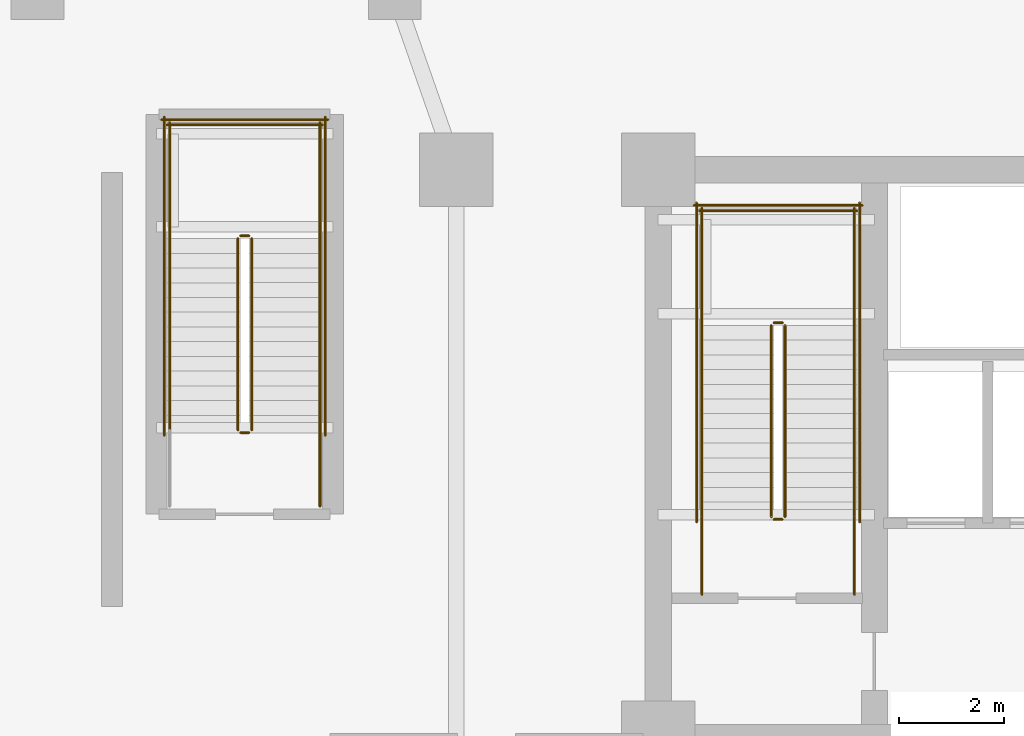
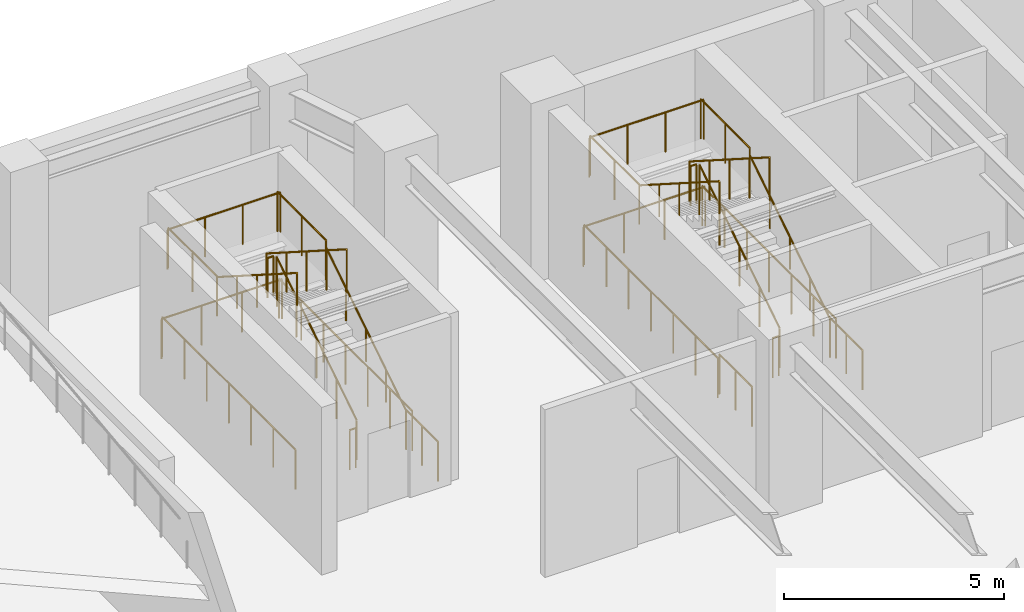
# One storey, part 6 of 8: 27 railings.
"""IFC4 building model written with IfcOpenShell, lengths in metres."""

import ifcopenshell
import ifcopenshell.guid

model = None  # the IFC model being written
_history = None  # IfcOwnerHistory: only IFC2X3 demands one
_inside = {}  # id of a spatial element -> (the spatial element, [elements in it])
_under = {}  # id of a project, library or spatial element -> (it, [spatial elements below it])
_declared = {}  # id of a project -> (the project, [libraries it declares])
_typed = {}  # id of a type object -> (the type object, [elements of that type])
_made_of = {}  # id of a material, layer set ... -> (it, [elements and type objects made of it])


def new_model(schema):
    """Start an empty IFC model of exactly this schema.

    Asked for "IFC4X3", IfcOpenShell would pick the latest addendum, in which some entities
    have other attributes; the version numbers below select the first issue.
    IFC2X3 requires an IfcOwnerHistory on every rooted entity: one is made here for all.
    """
    global model, _history
    if schema == "IFC4X3":
        model = ifcopenshell.file(schema_version=(4, 3, 0, 0))
    else:
        model = ifcopenshell.file(schema=schema)
    _inside.clear()
    _under.clear()
    _declared.clear()
    _typed.clear()
    _made_of.clear()
    _history = None
    if model.schema == "IFC2X3":
        org = make("IfcOrganization", Name="unknown")
        user = make(
            "IfcPersonAndOrganization",
            ThePerson=make("IfcPerson", FamilyName="unknown"),
            TheOrganization=org,
        )
        app = make(
            "IfcApplication",
            ApplicationDeveloper=org,
            Version="unknown",
            ApplicationFullName="unknown",
            ApplicationIdentifier="unknown",
        )
        _history = make(
            "IfcOwnerHistory",
            OwningUser=user,
            OwningApplication=app,
            ChangeAction="ADDED",
            CreationDate=0,
        )
    return model


def make(cls, **values):
    """One entity of the class cls with the attributes given. An attribute that is None is left unset."""
    return model.create_entity(
        cls, **{name: value for name, value in values.items() if value is not None}
    )


def rooted(cls, **values):
    """An entity with a GlobalId (a new one), such as an element, a storey or a relation."""
    return make(cls, GlobalId=ifcopenshell.guid.new(), OwnerHistory=_history, **values)


def si_unit(unit_type, name, prefix=None):
    """IfcSIUnit, for example si_unit("LENGTHUNIT", "METRE", prefix="MILLI")."""
    return make("IfcSIUnit", UnitType=unit_type, Prefix=prefix, Name=name)


def assignment(units):
    """IfcUnitAssignment: the units of a project."""
    return None if units is None else make("IfcUnitAssignment", Units=units)


def point(xyz):
    """IfcCartesianPoint."""
    return None if xyz is None else make("IfcCartesianPoint", Coordinates=xyz)


def direction(xyz):
    """IfcDirection."""
    return None if xyz is None else make("IfcDirection", DirectionRatios=xyz)


def frame(location, z_axis=None, x_axis=None):
    """IfcAxis2Placement3D, a coordinate frame: its origin and axes. An axis left out is left unset."""
    return make(
        "IfcAxis2Placement3D",
        Location=point(location),
        Axis=direction(z_axis),
        RefDirection=direction(x_axis),
    )


def frame_2d(location, x_axis=None):
    """IfcAxis2Placement2D, a coordinate frame in the plane: its origin and x axis."""
    return make(
        "IfcAxis2Placement2D", Location=point(location), RefDirection=direction(x_axis)
    )


def origin():
    """The frame at (0, 0, 0) with its axes left unset."""
    return frame((0.0, 0.0, 0.0))


def origin_2d():
    """The frame at (0, 0) in the plane with its x axis left unset."""
    return frame_2d((0.0, 0.0))


def place(relative_to, where):
    """IfcLocalPlacement: puts the frame where relative to a parent placement (None: the world)."""
    return make(
        "IfcLocalPlacement", PlacementRelTo=relative_to, RelativePlacement=where
    )


def context(
    kind, dimensions, precision=None, world=None, true_north=None, identifier=None
):
    """IfcGeometricRepresentationContext, for example the 3D "Model" context."""
    return make(
        "IfcGeometricRepresentationContext",
        ContextIdentifier=identifier,
        ContextType=kind,
        CoordinateSpaceDimension=dimensions,
        Precision=precision,
        WorldCoordinateSystem=world,
        TrueNorth=true_north,
    )


def subcontext(parent, identifier, kind, view, scale=None):
    """IfcGeometricRepresentationSubContext, for example "Body" below "Model"."""
    return make(
        "IfcGeometricRepresentationSubContext",
        ContextIdentifier=identifier,
        ContextType=kind,
        ParentContext=parent,
        TargetScale=scale,
        TargetView=view,
    )


def project(units=None, contexts=None):
    """IfcProject with its units and contexts."""
    return rooted(
        "IfcProject",
        Name="project",
        RepresentationContexts=contexts,
        UnitsInContext=assignment(units),
    )


def spatial(cls, under=None, at=None, **own):
    """A site, building, storey or space (cls), placed at a placement, below another one or the project."""
    s = rooted(cls, ObjectPlacement=at, **own)
    if under is not None:
        _under.setdefault(under.id(), (under, []))[1].append(s)
    return s


def profile(cls, at=None, kind="AREA", **sizes):
    """A parametric profile (cls). Its sizes go by their IFC names, for example OverallWidth=200.0."""
    return make(cls, ProfileType=kind, Position=at, **sizes)


def circle(**sizes):
    """IfcCircleProfileDef."""
    return profile("IfcCircleProfileDef", **sizes)


def extrude(swept, where, along, depth):
    """IfcExtrudedAreaSolid: the profile swept, set in the frame where, extruded along a direction by depth."""
    return make(
        "IfcExtrudedAreaSolid",
        SweptArea=swept,
        Position=where,
        ExtrudedDirection=direction(along),
        Depth=depth,
    )


def shape(context_of_items, identifier, shape_type, items):
    """IfcShapeRepresentation: the items that make up one representation, for example the "Body"."""
    return make(
        "IfcShapeRepresentation",
        ContextOfItems=context_of_items,
        RepresentationIdentifier=identifier,
        RepresentationType=shape_type,
        Items=items,
    )


def material(Name=None, Category=None):
    """IfcMaterial."""
    return make("IfcMaterial", Name=Name, Category=Category)


def layer(
    of_material, thickness, ventilated=None, Name=None, Category=None, Priority=None
):
    """IfcMaterialLayer: one layer of a wall or slab, of a material (None: an air gap)."""
    return make(
        "IfcMaterialLayer",
        Material=of_material,
        LayerThickness=thickness,
        IsVentilated=ventilated,
        Name=Name,
        Category=Category,
        Priority=Priority,
    )


def layer_set(layers, Name=None):
    """IfcMaterialLayerSet."""
    return make("IfcMaterialLayerSet", MaterialLayers=layers, LayerSetName=Name)


def made_of(thing, what):
    """Note that an element or type object is made of a material, layer set ...; save() writes the relation."""
    if what is not None:
        _made_of.setdefault(what.id(), (what, []))[1].append(thing)
    return thing


def type_object(cls, material=None, **own):
    """A type object (cls), such as IfcWallType, which elements share."""
    return made_of(rooted(cls, **own), material)


def element(
    cls,
    number,
    at=None,
    inside=None,
    cuts=None,
    type_object=None,
    material=None,
    context=None,
    identifier="Body",
    shape_type=None,
    held_by="IfcProductDefinitionShape",
    body=None,
    shapes=None,
    **own,
):
    """One element of the class cls, such as IfcWall. Its Tag is "e" and its number.

    at: its placement. inside: the storey or other place that contains it. cuts: it is an
    opening in that element (IfcRelVoidsElement). A single representation is given by context,
    identifier, shape_type and body (its items); several are given by shapes. held_by: the class
    of the entity that holds the representations. save() writes the other relations.
    """
    e = rooted(cls, Tag="e%d" % number, ObjectPlacement=at, **own)
    if body is not None:
        shapes = [shape(context, identifier, shape_type, body)]
    if shapes is not None:
        e.Representation = make(held_by, Representations=shapes)
    if inside is not None:
        _inside.setdefault(inside.id(), (inside, []))[1].append(e)
    if cuts is not None:
        rooted(
            "IfcRelVoidsElement", RelatingBuildingElement=cuts, RelatedOpeningElement=e
        )
    if type_object is not None:
        _typed.setdefault(type_object.id(), (type_object, []))[1].append(e)
    return made_of(e, material)


def aggregate(whole, parts):
    """IfcRelAggregates: a whole, such as a stair, and the parts it consists of."""
    return rooted("IfcRelAggregates", RelatingObject=whole, RelatedObjects=parts)


def save(model, path):
    """Write the relations noted so far, then the file.

    IfcRelAggregates (storeys below a building ...), IfcRelContainedInSpatialStructure (elements
    in a storey), IfcRelDefinesByType, IfcRelAssociatesMaterial and IfcRelDeclares: one each for
    every whole, place, type object, material and project.
    """
    for whole, parts in _under.values():
        aggregate(whole, parts)
    for where, things in _inside.values():
        rooted(
            "IfcRelContainedInSpatialStructure",
            RelatedElements=things,
            RelatingStructure=where,
        )
    for kind, things in _typed.values():
        rooted("IfcRelDefinesByType", RelatedObjects=things, RelatingType=kind)
    for what, things in _made_of.values():
        rooted("IfcRelAssociatesMaterial", RelatedObjects=things, RelatingMaterial=what)
    for by, libraries in _declared.values():
        rooted("IfcRelDeclares", RelatingContext=by, RelatedDefinitions=libraries)
    model.write(path)


model = new_model("IFC4")

# Units and contexts
model_context = context("Model", 3, precision=1e-05, world=origin(), true_north=direction((0.0, 1.0)))
body_context = subcontext(model_context, "Body", "Model", "MODEL_VIEW")
ifc_project = project(units=[si_unit("LENGTHUNIT", "METRE"), si_unit("AREAUNIT", "SQUARE_METRE"), si_unit("VOLUMEUNIT", "CUBIC_METRE"), si_unit("PLANEANGLEUNIT", "RADIAN"), si_unit("MASSUNIT", "GRAM", prefix="KILO")], contexts=[model_context])

# Site, building, storey
site_placement = place(None, origin())
site = spatial("IfcSite", under=ifc_project, at=site_placement, CompositionType="ELEMENT")
building_placement = place(site_placement, origin())
building = spatial("IfcBuilding", under=site, at=building_placement, Name="Yelkora Congress Tower", CompositionType="ELEMENT")
storey_placement = place(building_placement, frame((0.0, 0.0, -5.0)))
storey = spatial("IfcBuildingStorey", under=building, at=storey_placement, Name="B01", CompositionType="ELEMENT", Elevation=-5.0)

# Railings
ifc_material_1 = material(Name="Painted galvanised steel stair well guard with vertical infill", Category="steel")
ifc_layer_1 = layer(ifc_material_1, 0.06005859375)
ifc_layer_set_1 = layer_set([ifc_layer_1], Name="Painted galvanised steel stair well guard with vertical infill")
railing_type_1 = type_object("IfcRailingType", Name="RAIL-STAIR-GUARD-1120", PredefinedType="GUARDRAIL", material=ifc_layer_set_1)
railing_1_placement = place(storey_placement, frame((25.449951171875, 39.60009765625, 0.178466796875)))
element("IfcRailing", 1, at=railing_1_placement, inside=storey, type_object=railing_type_1, Name="ST-01 B01 Stair Well Guardrail 1", PredefinedType="GUARDRAIL", context=body_context, shape_type="SweptSolid", body=[
    extrude(circle(Radius=0.02392578125, at=origin_2d()), frame((0.0, 0.0, 1.09619140625), z_axis=(0.0, 0.843111507901, 0.53773877045), x_axis=(-1.0, 0.0, 0.0)), (0.0, 0.0, 1.0), 4.317138671875),
    extrude(circle(Radius=0.02099609375, at=origin_2d()), origin(), (0.0, 0.0, 1.0), 1.072021484375),
    extrude(circle(Radius=0.02099609375, at=origin_2d()), frame((0.0, 0.909912109375, 0.580322265625)), (0.0, 0.0, 1.0), 1.072021484375),
    extrude(circle(Radius=0.02099609375, at=origin_2d()), frame((0.0, 1.81982421875, 1.16064453125)), (0.0, 0.0, 1.0), 1.072021484375),
    extrude(circle(Radius=0.02099609375, at=origin_2d()), frame((0.0, 2.72998046875, 1.7412109375)), (0.0, 0.0, 1.0), 1.072021484375),
    extrude(circle(Radius=0.02099609375, at=origin_2d()), frame((0.0, 3.639892578125, 2.321533203125)), (0.0, 0.0, 1.0), 1.072021484375),
])
railing_2_placement = place(storey_placement, frame((25.39990234375, 43.2900390625, 2.5)))
element("IfcRailing", 2, at=railing_2_placement, inside=storey, type_object=railing_type_1, Name="ST-01 B01 Stair Well Guardrail 2", PredefinedType="GUARDRAIL", context=body_context, shape_type="SweptSolid", body=[
    extrude(circle(Radius=0.02392578125, at=origin_2d()), frame((0.0, 0.0, 1.09619140625), z_axis=(-1.0, 0.0, 0.0), x_axis=(0.0, -1.0, 0.0)), (0.0, 0.0, 1.0), 0.159912109375),
    extrude(circle(Radius=0.02099609375, at=origin_2d()), origin(), (0.0, 0.0, 1.0), 1.072021484375),
    extrude(circle(Radius=0.02099609375, at=origin_2d()), frame((-0.159912109375, 0.0, 0.0)), (0.0, 0.0, 1.0), 1.072021484375),
])
for number, where, name in (
    (3, (26.77001953125, 43.239990234375, 2.5), "ST-01 B01 Stair Well Guardrail 3"),
    (4, (23.8701171875, 43.239990234375, 2.5), "ST-01 B01 Stair Well Guardrail 4"),
):
    element("IfcRailing", number, at=place(storey_placement, frame(where)), inside=storey, type_object=railing_type_1, Name=name, PredefinedType="GUARDRAIL", context=body_context, shape_type="SweptSolid", body=[
        extrude(circle(Radius=0.02392578125, at=origin_2d()), frame((0.0, 0.0, 1.09619140625), z_axis=(0.0, 1.0, 0.0), x_axis=(-1.0, 0.0, 0.0)), (0.0, 0.0, 1.0), 2.22998046875),
        extrude(circle(Radius=0.02099609375, at=origin_2d()), origin(), (0.0, 0.0, 1.0), 1.072021484375),
        extrude(circle(Radius=0.02099609375, at=origin_2d()), frame((0.0, 1.114990234375, 0.0)), (0.0, 0.0, 1.0), 1.072021484375),
        extrude(circle(Radius=0.02099609375, at=origin_2d()), frame((0.0, 2.22998046875, 0.0)), (0.0, 0.0, 1.0), 1.072021484375),
    ])
railing_3_placement = place(storey_placement, frame((26.820068359375, 45.419921875, 2.5)))
element("IfcRailing", 5, at=railing_3_placement, inside=storey, type_object=railing_type_1, Name="ST-01 B01 Stair Well Guardrail 5", PredefinedType="GUARDRAIL", context=body_context, shape_type="SweptSolid", body=[
    extrude(circle(Radius=0.02392578125, at=origin_2d()), frame((0.0, 0.0, 1.09619140625), z_axis=(-1.0, 0.0, 0.0), x_axis=(0.0, -1.0, 0.0)), (0.0, 0.0, 1.0), 3.0),
    extrude(circle(Radius=0.02099609375, at=origin_2d()), origin(), (0.0, 0.0, 1.0), 1.072021484375),
    extrude(circle(Radius=0.02099609375, at=origin_2d()), frame((-1.0, 0.0, 0.0)), (0.0, 0.0, 1.0), 1.072021484375),
    extrude(circle(Radius=0.02099609375, at=origin_2d()), frame((-2.0, 0.0, 0.0)), (0.0, 0.0, 1.0), 1.072021484375),
    extrude(circle(Radius=0.02099609375, at=origin_2d()), frame((-3.0, 0.0, 0.0)), (0.0, 0.0, 1.0), 1.072021484375),
])
railing_4_placement = place(storey_placement, frame((25.18994140625, 43.239990234375, 2.678466796875)))
element("IfcRailing", 6, at=railing_4_placement, inside=storey, type_object=railing_type_1, Name="ST-01 B01 Stair Well Guardrail 6", PredefinedType="GUARDRAIL", context=body_context, shape_type="SweptSolid", body=[
    extrude(circle(Radius=0.02392578125, at=origin_2d()), frame((0.0, 0.0, 1.09619140625), z_axis=(0.0, -0.843111507901, 0.53773877045), x_axis=(1.0, 0.0, 0.0)), (0.0, 0.0, 1.0), 4.317138671875),
    extrude(circle(Radius=0.02099609375, at=origin_2d()), origin(), (0.0, 0.0, 1.0), 1.072021484375),
    extrude(circle(Radius=0.02099609375, at=origin_2d()), frame((0.0, -0.909912109375, 0.580322265625)), (0.0, 0.0, 1.0), 1.072021484375),
    extrude(circle(Radius=0.02099609375, at=origin_2d()), frame((0.0, -1.81982421875, 1.16064453125)), (0.0, 0.0, 1.0), 1.072021484375),
    extrude(circle(Radius=0.02099609375, at=origin_2d()), frame((0.0, -2.72998046875, 1.7412109375)), (0.0, 0.0, 1.0), 1.072021484375),
    extrude(circle(Radius=0.02099609375, at=origin_2d()), frame((0.0, -3.639892578125, 2.321533203125)), (0.0, 0.0, 1.0), 1.072021484375),
])
railing_5_placement = place(storey_placement, frame((25.39990234375, 39.550048828125, 0.0)))
element("IfcRailing", 7, at=railing_5_placement, inside=storey, type_object=railing_type_1, Name="ST-01 B01 Stair Well Guardrail 7", PredefinedType="GUARDRAIL", context=body_context, shape_type="SweptSolid", body=[
    extrude(circle(Radius=0.02392578125, at=origin_2d()), frame((0.0, 0.0, 1.09619140625), z_axis=(-1.0, 0.0, 0.0), x_axis=(0.0, -1.0, 0.0)), (0.0, 0.0, 1.0), 0.159912109375),
    extrude(circle(Radius=0.02099609375, at=origin_2d()), origin(), (0.0, 0.0, 1.0), 1.072021484375),
    extrude(circle(Radius=0.02099609375, at=origin_2d()), frame((-0.159912109375, 0.0, 0.0)), (0.0, 0.0, 1.0), 1.072021484375),
])
for number, where, name in (
    (8, (26.77001953125, 38.1201171875, 0.0), "ST-01 B01 Stair Well Guardrail 8"),
    (9, (23.8701171875, 38.1201171875, 0.0), "ST-01 B01 Stair Well Guardrail 9"),
):
    element("IfcRailing", number, at=place(storey_placement, frame(where)), inside=storey, type_object=railing_type_1, Name=name, PredefinedType="GUARDRAIL", context=body_context, shape_type="SweptSolid", body=[
        extrude(circle(Radius=0.02392578125, at=origin_2d()), frame((0.0, 0.0, 1.09619140625), z_axis=(0.0, 1.0, 0.0), x_axis=(-1.0, 0.0, 0.0)), (0.0, 0.0, 1.0), 1.47998046875),
        extrude(circle(Radius=0.02099609375, at=origin_2d()), origin(), (0.0, 0.0, 1.0), 1.072021484375),
        extrude(circle(Radius=0.02099609375, at=origin_2d()), frame((0.0, 0.739990234375, 0.0)), (0.0, 0.0, 1.0), 1.072021484375),
        extrude(circle(Radius=0.02099609375, at=origin_2d()), frame((0.0, 1.47998046875, 0.0)), (0.0, 0.0, 1.0), 1.072021484375),
    ])
for number, where, name in (
    (10, (26.8701171875, 39.5, 0.0), "ST-01 B01 Stair Well Guardrail 10"),
    (11, (23.77001953125, 39.5, 0.0), "ST-01 B01 Stair Well Guardrail 11"),
):
    element("IfcRailing", number, at=place(storey_placement, frame(where)), inside=storey, type_object=railing_type_1, Name=name, PredefinedType="GUARDRAIL", context=body_context, shape_type="SweptSolid", body=[
        extrude(circle(Radius=0.02392578125, at=origin_2d()), frame((0.0, 0.0, 1.09619140625), z_axis=(0.0, 1.0, 0.0), x_axis=(-1.0, 0.0, 0.0)), (0.0, 0.0, 1.0), 6.070068359375),
        extrude(circle(Radius=0.02099609375, at=origin_2d()), origin(), (0.0, 0.0, 1.0), 1.072021484375),
        extrude(circle(Radius=0.02099609375, at=origin_2d()), frame((0.0, 1.01171875, 0.0)), (0.0, 0.0, 1.0), 1.072021484375),
        extrude(circle(Radius=0.02099609375, at=origin_2d()), frame((0.0, 2.0234375, 0.0)), (0.0, 0.0, 1.0), 1.072021484375),
        extrude(circle(Radius=0.02099609375, at=origin_2d()), frame((0.0, 3.03515625, 0.0)), (0.0, 0.0, 1.0), 1.072021484375),
        extrude(circle(Radius=0.02099609375, at=origin_2d()), frame((0.0, 4.046630859375, 0.0)), (0.0, 0.0, 1.0), 1.072021484375),
        extrude(circle(Radius=0.02099609375, at=origin_2d()), frame((0.0, 5.058349609375, 0.0)), (0.0, 0.0, 1.0), 1.072021484375),
        extrude(circle(Radius=0.02099609375, at=origin_2d()), frame((0.0, 6.070068359375, 0.0)), (0.0, 0.0, 1.0), 1.072021484375),
    ])
railing_6_placement = place(storey_placement, frame((26.919921875, 45.52001953125, 0.0)))
element("IfcRailing", 12, at=railing_6_placement, inside=storey, type_object=railing_type_1, Name="ST-01 B01 Stair Well Guardrail 12", PredefinedType="GUARDRAIL", context=body_context, shape_type="SweptSolid", body=[
    extrude(circle(Radius=0.02392578125, at=origin_2d()), frame((0.0, 0.0, 1.09619140625), z_axis=(-1.0, 0.0, 0.0), x_axis=(0.0, -1.0, 0.0)), (0.0, 0.0, 1.0), 3.199951171875),
    extrude(circle(Radius=0.02099609375, at=origin_2d()), origin(), (0.0, 0.0, 1.0), 1.072021484375),
    extrude(circle(Radius=0.02099609375, at=origin_2d()), frame((-1.066650390625, 0.0, 0.0)), (0.0, 0.0, 1.0), 1.072021484375),
    extrude(circle(Radius=0.02099609375, at=origin_2d()), frame((-2.13330078125, 0.0, 0.0)), (0.0, 0.0, 1.0), 1.072021484375),
    extrude(circle(Radius=0.02099609375, at=origin_2d()), frame((-3.199951171875, 0.0, 0.0)), (0.0, 0.0, 1.0), 1.072021484375),
])
railing_7_placement = place(storey_placement, frame((15.31005859375, 41.25, 0.178466796875)))
element("IfcRailing", 13, at=railing_7_placement, inside=storey, type_object=railing_type_1, Name="ST-B1 B01 Stair Well Guardrail 1", PredefinedType="GUARDRAIL", context=body_context, shape_type="SweptSolid", body=[
    extrude(circle(Radius=0.02392578125, at=origin_2d()), frame((0.0, 0.0, 1.09619140625), z_axis=(0.0, 0.843111507901, 0.53773877045), x_axis=(-1.0, 0.0, 0.0)), (0.0, 0.0, 1.0), 4.317138671875),
    extrude(circle(Radius=0.02099609375, at=origin_2d()), origin(), (0.0, 0.0, 1.0), 1.072021484375),
    extrude(circle(Radius=0.02099609375, at=origin_2d()), frame((0.0, 0.909912109375, 0.580322265625)), (0.0, 0.0, 1.0), 1.072021484375),
    extrude(circle(Radius=0.02099609375, at=origin_2d()), frame((0.0, 1.81982421875, 1.16064453125)), (0.0, 0.0, 1.0), 1.072021484375),
    extrude(circle(Radius=0.02099609375, at=origin_2d()), frame((0.0, 2.72998046875, 1.7412109375)), (0.0, 0.0, 1.0), 1.072021484375),
    extrude(circle(Radius=0.02099609375, at=origin_2d()), frame((0.0, 3.639892578125, 2.321533203125)), (0.0, 0.0, 1.0), 1.072021484375),
])
railing_8_placement = place(storey_placement, frame((15.260009765625, 44.93994140625, 2.5)))
element("IfcRailing", 14, at=railing_8_placement, inside=storey, type_object=railing_type_1, Name="ST-B1 B01 Stair Well Guardrail 2", PredefinedType="GUARDRAIL", context=body_context, shape_type="SweptSolid", body=[
    extrude(circle(Radius=0.02392578125, at=origin_2d()), frame((0.0, 0.0, 1.09619140625), z_axis=(-1.0, 0.0, 0.0), x_axis=(0.0, -1.0, 0.0)), (0.0, 0.0, 1.0), 0.159912109375),
    extrude(circle(Radius=0.02099609375, at=origin_2d()), origin(), (0.0, 0.0, 1.0), 1.072021484375),
    extrude(circle(Radius=0.02099609375, at=origin_2d()), frame((-0.159912109375, 0.0, 0.0)), (0.0, 0.0, 1.0), 1.072021484375),
])
for number, where, name in (
    (15, (16.610107421875, 44.889892578125, 2.5), "ST-B1 B01 Stair Well Guardrail 3"),
    (16, (13.75, 44.889892578125, 2.5), "ST-B1 B01 Stair Well Guardrail 4"),
):
    element("IfcRailing", number, at=place(storey_placement, frame(where)), inside=storey, type_object=railing_type_1, Name=name, PredefinedType="GUARDRAIL", context=body_context, shape_type="SweptSolid", body=[
        extrude(circle(Radius=0.02392578125, at=origin_2d()), frame((0.0, 0.0, 1.09619140625), z_axis=(0.0, 1.0, 0.0), x_axis=(-1.0, 0.0, 0.0)), (0.0, 0.0, 1.0), 2.210205078125),
        extrude(circle(Radius=0.02099609375, at=origin_2d()), origin(), (0.0, 0.0, 1.0), 1.072021484375),
        extrude(circle(Radius=0.02099609375, at=origin_2d()), frame((0.0, 1.10498046875, 0.0)), (0.0, 0.0, 1.0), 1.072021484375),
        extrude(circle(Radius=0.02099609375, at=origin_2d()), frame((0.0, 2.210205078125, 0.0)), (0.0, 0.0, 1.0), 1.072021484375),
    ])
railing_9_placement = place(storey_placement, frame((16.659912109375, 47.050048828125, 2.5)))
element("IfcRailing", 17, at=railing_9_placement, inside=storey, type_object=railing_type_1, Name="ST-B1 B01 Stair Well Guardrail 5", PredefinedType="GUARDRAIL", context=body_context, shape_type="SweptSolid", body=[
    extrude(circle(Radius=0.02392578125, at=origin_2d()), frame((0.0, 0.0, 1.09619140625), z_axis=(-1.0, 0.0, 0.0), x_axis=(0.0, -1.0, 0.0)), (0.0, 0.0, 1.0), 2.9599609375),
    extrude(circle(Radius=0.02099609375, at=origin_2d()), origin(), (0.0, 0.0, 1.0), 1.072021484375),
    extrude(circle(Radius=0.02099609375, at=origin_2d()), frame((-0.986572265625, 0.0, 0.0)), (0.0, 0.0, 1.0), 1.072021484375),
    extrude(circle(Radius=0.02099609375, at=origin_2d()), frame((-1.973388671875, 0.0, 0.0)), (0.0, 0.0, 1.0), 1.072021484375),
    extrude(circle(Radius=0.02099609375, at=origin_2d()), frame((-2.9599609375, 0.0, 0.0)), (0.0, 0.0, 1.0), 1.072021484375),
])
railing_10_placement = place(storey_placement, frame((15.050048828125, 44.889892578125, 2.678466796875)))
element("IfcRailing", 18, at=railing_10_placement, inside=storey, type_object=railing_type_1, Name="ST-B1 B01 Stair Well Guardrail 6", PredefinedType="GUARDRAIL", context=body_context, shape_type="SweptSolid", body=[
    extrude(circle(Radius=0.02392578125, at=origin_2d()), frame((0.0, 0.0, 1.09619140625), z_axis=(0.0, -0.843111507901, 0.53773877045), x_axis=(1.0, 0.0, 0.0)), (0.0, 0.0, 1.0), 4.317138671875),
    extrude(circle(Radius=0.02099609375, at=origin_2d()), origin(), (0.0, 0.0, 1.0), 1.072021484375),
    extrude(circle(Radius=0.02099609375, at=origin_2d()), frame((0.0, -0.909912109375, 0.580322265625)), (0.0, 0.0, 1.0), 1.072021484375),
    extrude(circle(Radius=0.02099609375, at=origin_2d()), frame((0.0, -1.81982421875, 1.16064453125)), (0.0, 0.0, 1.0), 1.072021484375),
    extrude(circle(Radius=0.02099609375, at=origin_2d()), frame((0.0, -2.72998046875, 1.7412109375)), (0.0, 0.0, 1.0), 1.072021484375),
    extrude(circle(Radius=0.02099609375, at=origin_2d()), frame((0.0, -3.639892578125, 2.321533203125)), (0.0, 0.0, 1.0), 1.072021484375),
])
railing_11_placement = place(storey_placement, frame((15.260009765625, 41.199951171875, 0.0)))
element("IfcRailing", 19, at=railing_11_placement, inside=storey, type_object=railing_type_1, Name="ST-B1 B01 Stair Well Guardrail 7", PredefinedType="GUARDRAIL", context=body_context, shape_type="SweptSolid", body=[
    extrude(circle(Radius=0.02392578125, at=origin_2d()), frame((0.0, 0.0, 1.09619140625), z_axis=(-1.0, 0.0, 0.0), x_axis=(0.0, -1.0, 0.0)), (0.0, 0.0, 1.0), 0.159912109375),
    extrude(circle(Radius=0.02099609375, at=origin_2d()), origin(), (0.0, 0.0, 1.0), 1.072021484375),
    extrude(circle(Radius=0.02099609375, at=origin_2d()), frame((-0.159912109375, 0.0, 0.0)), (0.0, 0.0, 1.0), 1.072021484375),
])
railing_12_placement = place(storey_placement, frame((16.610107421875, 39.800048828125, 0.0)))
element("IfcRailing", 20, at=railing_12_placement, inside=storey, type_object=railing_type_1, Name="ST-B1 B01 Stair Well Guardrail 8", PredefinedType="GUARDRAIL", context=body_context, shape_type="SweptSolid", body=[
    extrude(circle(Radius=0.02392578125, at=origin_2d()), frame((0.0, 0.0, 1.09619140625), z_axis=(0.0, 1.0, 0.0), x_axis=(-1.0, 0.0, 0.0)), (0.0, 0.0, 1.0), 1.449951171875),
    extrude(circle(Radius=0.02099609375, at=origin_2d()), origin(), (0.0, 0.0, 1.0), 1.072021484375),
    extrude(circle(Radius=0.02099609375, at=origin_2d()), frame((0.0, 0.72509765625, 0.0)), (0.0, 0.0, 1.0), 1.072021484375),
    extrude(circle(Radius=0.02099609375, at=origin_2d()), frame((0.0, 1.449951171875, 0.0)), (0.0, 0.0, 1.0), 1.072021484375),
])
for number, where, name in (
    (21, (16.7099609375, 41.14990234375, 0.0), "ST-B1 B01 Stair Well Guardrail 10"),
    (22, (13.64990234375, 41.14990234375, 0.0), "ST-B1 B01 Stair Well Guardrail 11"),
):
    element("IfcRailing", number, at=place(storey_placement, frame(where)), inside=storey, type_object=railing_type_1, Name=name, PredefinedType="GUARDRAIL", context=body_context, shape_type="SweptSolid", body=[
        extrude(circle(Radius=0.02392578125, at=origin_2d()), frame((0.0, 0.0, 1.09619140625), z_axis=(0.0, 1.0, 0.0), x_axis=(-1.0, 0.0, 0.0)), (0.0, 0.0, 1.0), 6.050048828125),
        extrude(circle(Radius=0.02099609375, at=origin_2d()), origin(), (0.0, 0.0, 1.0), 1.072021484375),
        extrude(circle(Radius=0.02099609375, at=origin_2d()), frame((0.0, 1.00830078125, 0.0)), (0.0, 0.0, 1.0), 1.072021484375),
        extrude(circle(Radius=0.02099609375, at=origin_2d()), frame((0.0, 2.0166015625, 0.0)), (0.0, 0.0, 1.0), 1.072021484375),
        extrude(circle(Radius=0.02099609375, at=origin_2d()), frame((0.0, 3.02490234375, 0.0)), (0.0, 0.0, 1.0), 1.072021484375),
        extrude(circle(Radius=0.02099609375, at=origin_2d()), frame((0.0, 4.033447265625, 0.0)), (0.0, 0.0, 1.0), 1.072021484375),
        extrude(circle(Radius=0.02099609375, at=origin_2d()), frame((0.0, 5.041748046875, 0.0)), (0.0, 0.0, 1.0), 1.072021484375),
        extrude(circle(Radius=0.02099609375, at=origin_2d()), frame((0.0, 6.050048828125, 0.0)), (0.0, 0.0, 1.0), 1.072021484375),
    ])
railing_13_placement = place(storey_placement, frame((16.760009765625, 47.14990234375, 0.0)))
element("IfcRailing", 23, at=railing_13_placement, inside=storey, type_object=railing_type_1, Name="ST-B1 B01 Stair Well Guardrail 12", PredefinedType="GUARDRAIL", context=body_context, shape_type="SweptSolid", body=[
    extrude(circle(Radius=0.02392578125, at=origin_2d()), frame((0.0, 0.0, 1.09619140625), z_axis=(-1.0, 0.0, 0.0), x_axis=(0.0, -1.0, 0.0)), (0.0, 0.0, 1.0), 3.159912109375),
    extrude(circle(Radius=0.02099609375, at=origin_2d()), origin(), (0.0, 0.0, 1.0), 1.072021484375),
    extrude(circle(Radius=0.02099609375, at=origin_2d()), frame((-1.05322265625, 0.0, 0.0)), (0.0, 0.0, 1.0), 1.072021484375),
    extrude(circle(Radius=0.02099609375, at=origin_2d()), frame((-2.106689453125, 0.0, 0.0)), (0.0, 0.0, 1.0), 1.072021484375),
    extrude(circle(Radius=0.02099609375, at=origin_2d()), frame((-3.159912109375, 0.0, 0.0)), (0.0, 0.0, 1.0), 1.072021484375),
])
ifc_material_2 = material(Name="Brushed stainless steel tubular handrail", Category="steel")
ifc_layer_2 = layer(ifc_material_2, 0.050048828125)
ifc_layer_set_2 = layer_set([ifc_layer_2], Name="Brushed stainless steel tubular handrail")
railing_type_2 = type_object("IfcRailingType", Name="RAIL-STAIR-HAND-920", PredefinedType="HANDRAIL", material=ifc_layer_set_2)
railing_14_placement = place(storey_placement, frame((26.77001953125, 39.60009765625, 0.178466796875)))
element("IfcRailing", 24, at=railing_14_placement, inside=storey, type_object=railing_type_2, Name="ST-01 B01 Pitch Handrail 1", PredefinedType="HANDRAIL", context=body_context, shape_type="SweptSolid", body=[
    extrude(circle(Radius=0.02392578125, at=origin_2d()), frame((0.0, 0.0, 0.89599609375), z_axis=(0.0, 0.843111507901, 0.53773877045), x_axis=(-1.0, 0.0, 0.0)), (0.0, 0.0, 1.0), 4.317138671875),
    extrude(circle(Radius=0.02099609375, at=origin_2d()), origin(), (0.0, 0.0, 1.0), 0.871826171875),
    extrude(circle(Radius=0.02099609375, at=origin_2d()), frame((0.0, 0.909912109375, 0.580322265625)), (0.0, 0.0, 1.0), 0.871826171875),
    extrude(circle(Radius=0.02099609375, at=origin_2d()), frame((0.0, 1.81982421875, 1.16064453125)), (0.0, 0.0, 1.0), 0.871826171875),
    extrude(circle(Radius=0.02099609375, at=origin_2d()), frame((0.0, 2.72998046875, 1.7412109375)), (0.0, 0.0, 1.0), 0.871826171875),
    extrude(circle(Radius=0.02099609375, at=origin_2d()), frame((0.0, 3.639892578125, 2.321533203125)), (0.0, 0.0, 1.0), 0.871826171875),
])
railing_15_placement = place(storey_placement, frame((23.8701171875, 43.239990234375, 2.678466796875)))
element("IfcRailing", 25, at=railing_15_placement, inside=storey, type_object=railing_type_2, Name="ST-01 B01 Pitch Handrail 2", PredefinedType="HANDRAIL", context=body_context, shape_type="SweptSolid", body=[
    extrude(circle(Radius=0.02392578125, at=origin_2d()), frame((0.0, 0.0, 0.89599609375), z_axis=(0.0, -0.843111507901, 0.53773877045), x_axis=(1.0, 0.0, 0.0)), (0.0, 0.0, 1.0), 4.317138671875),
    extrude(circle(Radius=0.02099609375, at=origin_2d()), origin(), (0.0, 0.0, 1.0), 0.871826171875),
    extrude(circle(Radius=0.02099609375, at=origin_2d()), frame((0.0, -0.909912109375, 0.580322265625)), (0.0, 0.0, 1.0), 0.871826171875),
    extrude(circle(Radius=0.02099609375, at=origin_2d()), frame((0.0, -1.81982421875, 1.16064453125)), (0.0, 0.0, 1.0), 0.871826171875),
    extrude(circle(Radius=0.02099609375, at=origin_2d()), frame((0.0, -2.72998046875, 1.7412109375)), (0.0, 0.0, 1.0), 0.871826171875),
    extrude(circle(Radius=0.02099609375, at=origin_2d()), frame((0.0, -3.639892578125, 2.321533203125)), (0.0, 0.0, 1.0), 0.871826171875),
])
railing_16_placement = place(storey_placement, frame((16.610107421875, 41.25, 0.178466796875)))
element("IfcRailing", 26, at=railing_16_placement, inside=storey, type_object=railing_type_2, Name="ST-B1 B01 Pitch Handrail 1", PredefinedType="HANDRAIL", context=body_context, shape_type="SweptSolid", body=[
    extrude(circle(Radius=0.02392578125, at=origin_2d()), frame((0.0, 0.0, 0.89599609375), z_axis=(0.0, 0.843111507901, 0.53773877045), x_axis=(-1.0, 0.0, 0.0)), (0.0, 0.0, 1.0), 4.317138671875),
    extrude(circle(Radius=0.02099609375, at=origin_2d()), origin(), (0.0, 0.0, 1.0), 0.871826171875),
    extrude(circle(Radius=0.02099609375, at=origin_2d()), frame((0.0, 0.909912109375, 0.580322265625)), (0.0, 0.0, 1.0), 0.871826171875),
    extrude(circle(Radius=0.02099609375, at=origin_2d()), frame((0.0, 1.81982421875, 1.16064453125)), (0.0, 0.0, 1.0), 0.871826171875),
    extrude(circle(Radius=0.02099609375, at=origin_2d()), frame((0.0, 2.72998046875, 1.7412109375)), (0.0, 0.0, 1.0), 0.871826171875),
    extrude(circle(Radius=0.02099609375, at=origin_2d()), frame((0.0, 3.639892578125, 2.321533203125)), (0.0, 0.0, 1.0), 0.871826171875),
])
railing_17_placement = place(storey_placement, frame((13.75, 44.889892578125, 2.678466796875)))
element("IfcRailing", 27, at=railing_17_placement, inside=storey, type_object=railing_type_2, Name="ST-B1 B01 Pitch Handrail 2", PredefinedType="HANDRAIL", context=body_context, shape_type="SweptSolid", body=[
    extrude(circle(Radius=0.02392578125, at=origin_2d()), frame((0.0, 0.0, 0.89599609375), z_axis=(0.0, -0.843111507901, 0.53773877045), x_axis=(1.0, 0.0, 0.0)), (0.0, 0.0, 1.0), 4.317138671875),
    extrude(circle(Radius=0.02099609375, at=origin_2d()), origin(), (0.0, 0.0, 1.0), 0.871826171875),
    extrude(circle(Radius=0.02099609375, at=origin_2d()), frame((0.0, -0.909912109375, 0.580322265625)), (0.0, 0.0, 1.0), 0.871826171875),
    extrude(circle(Radius=0.02099609375, at=origin_2d()), frame((0.0, -1.81982421875, 1.16064453125)), (0.0, 0.0, 1.0), 0.871826171875),
    extrude(circle(Radius=0.02099609375, at=origin_2d()), frame((0.0, -2.72998046875, 1.7412109375)), (0.0, 0.0, 1.0), 0.871826171875),
    extrude(circle(Radius=0.02099609375, at=origin_2d()), frame((0.0, -3.639892578125, 2.321533203125)), (0.0, 0.0, 1.0), 0.871826171875),
])

save(model, "model.ifc")
